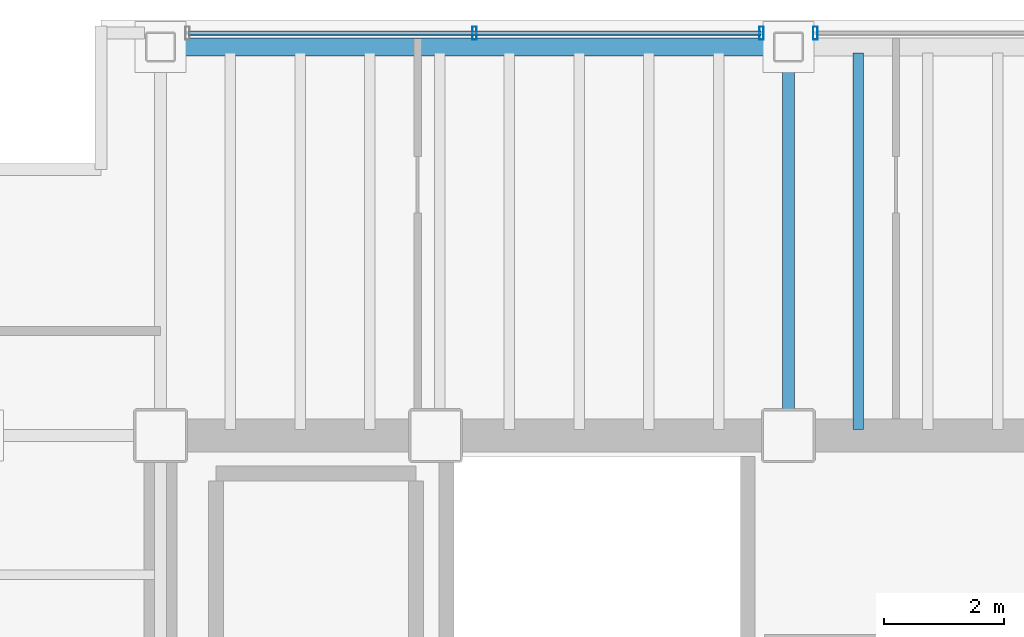
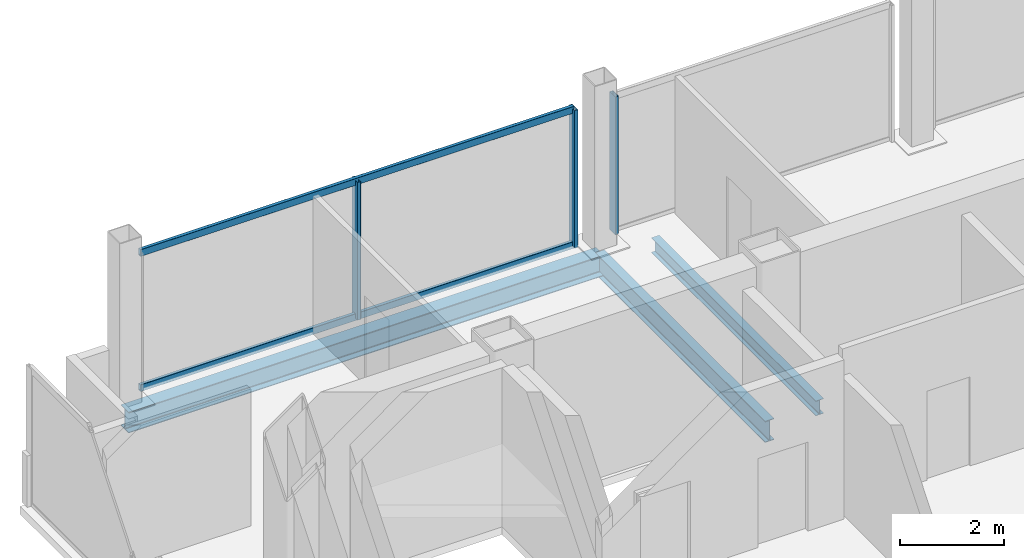
# One storey, part 7 of 16: 5 members, 3 beams, 2 elements without a shape of their own.
"""IFC4 building model written with IfcOpenShell, lengths in metres."""

from ifc_helpers import new_model, si_unit, direction, frame, origin, origin_2d, place, context, subcontext, project, spatial, hollow_rectangle, i_section, extrude, material, material_profile, profile_set, type_object, element, aggregate, save


model = new_model("IFC4")

# Units and contexts
model_context = context("Model", 3, precision=1e-05, world=origin(), true_north=direction((0.0, 1.0)))
body_context = subcontext(model_context, "Body", "Model", "MODEL_VIEW")
ifc_project = project(units=[si_unit("LENGTHUNIT", "METRE"), si_unit("AREAUNIT", "SQUARE_METRE"), si_unit("VOLUMEUNIT", "CUBIC_METRE"), si_unit("PLANEANGLEUNIT", "RADIAN"), si_unit("MASSUNIT", "GRAM", prefix="KILO")], contexts=[model_context])

# Site, building, storey
site_placement = place(None, origin())
site = spatial("IfcSite", under=ifc_project, at=site_placement, CompositionType="ELEMENT")
building_placement = place(site_placement, origin())
building = spatial("IfcBuilding", under=site, at=building_placement, Name="Noeulbin Bourse Tower", CompositionType="ELEMENT")
storey_placement = place(building_placement, frame((0.0, 0.0, 177.300048828125)))
storey = spatial("IfcBuildingStorey", under=building, at=storey_placement, Name="L44", CompositionType="ELEMENT", Elevation=177.300048828125)

# Beams
ifc_material_1 = material(Name="Steel S355", Category="steel")
ifc_material_profile_1 = material_profile(ifc_material_1, i_section(OverallWidth=0.199951171875, OverallDepth=0.5, WebThickness=0.010009765625, FlangeThickness=0.01611328125, FilletRadius=0.02001953125, at=origin_2d()), Name="H-500x200x10x16", Category="LoadBearing")
ifc_profile_set_1 = profile_set([ifc_material_profile_1], Name="Steel S355")
beam_type_1 = type_object("IfcBeamType", Name="BM-GRD-500", PredefinedType="USERDEFINED", material=ifc_profile_set_1)
beam_1_placement = place(storey_placement, frame((24.0, 38.300048828125, -0.429931640625), z_axis=(0.0, 1.0, 0.0), x_axis=(-1.0, 0.0, 0.0)))
element("IfcBeam", 1, at=beam_1_placement, inside=storey, type_object=beam_type_1, Name="Tower Primary Girder NS L44-2.4", ObjectType="GIRDER", PredefinedType="USERDEFINED", context=body_context, shape_type="SweptSolid", body=[
    extrude(i_section(OverallWidth=0.199951171875, OverallDepth=0.5, WebThickness=0.010009765625, FlangeThickness=0.01611328125, FilletRadius=0.02001953125, at=origin_2d()), origin(), (0.0, 0.0, 1.0), 6.5),
])
ifc_material_profile_2 = material_profile(ifc_material_1, i_section(OverallWidth=0.175048828125, OverallDepth=0.35009765625, WebThickness=0.007080078125, FlangeThickness=0.010986328125, FilletRadius=0.013916015625, at=origin_2d()), Name="H-350x175x7x11", Category="LoadBearing")
ifc_profile_set_2 = profile_set([ifc_material_profile_2], Name="Steel S355")
beam_type_2 = type_object("IfcBeamType", Name="BM-JST-350", PredefinedType="JOIST", material=ifc_profile_set_2)
beam_2_placement = place(storey_placement, frame((25.166748046875, 38.39990234375, -0.35498046875), z_axis=(0.0, 1.0, 0.0), x_axis=(-1.0, 0.0, 0.0)))
element("IfcBeam", 2, at=beam_2_placement, inside=storey, type_object=beam_type_2, Name="Tower Composite Joist L44-27", PredefinedType="JOIST", context=body_context, shape_type="SweptSolid", body=[
    extrude(i_section(OverallWidth=0.175048828125, OverallDepth=0.35009765625, WebThickness=0.007080078125, FlangeThickness=0.010986328125, FilletRadius=0.013916015625, at=origin_2d()), origin(), (0.0, 0.0, 1.0), 6.300048828125),
])
ifc_material_profile_3 = material_profile(ifc_material_1, i_section(OverallWidth=0.300048828125, OverallDepth=0.488037109375, WebThickness=0.010986328125, FlangeThickness=0.01806640625, FilletRadius=0.02197265625, at=origin_2d()), Name="H-488x300x11x18", Category="LoadBearing")
ifc_profile_set_3 = profile_set([ifc_material_profile_3], Name="Steel S355")
beam_type_3 = type_object("IfcBeamType", Name="BM-SPN-488", PredefinedType="SPANDREL", material=ifc_profile_set_3)
beam_3_placement = place(storey_placement, frame((13.5, 44.800048828125, -0.424072265625), z_axis=(1.0, 0.0, 0.0), x_axis=(0.0, 1.0, 0.0)))
element("IfcBeam", 3, at=beam_3_placement, inside=storey, type_object=beam_type_3, Name="North Spandrel L44-1", PredefinedType="SPANDREL", context=body_context, shape_type="SweptSolid", body=[
    extrude(i_section(OverallWidth=0.300048828125, OverallDepth=0.488037109375, WebThickness=0.010986328125, FlangeThickness=0.01806640625, FilletRadius=0.02197265625, at=origin_2d()), origin(), (0.0, 0.0, 1.0), 10.5),
])

# Curtain wall, members
ifc_material_2 = material(Name="Dark Tinted Triple Glazing", Category="glass")
curtain_wall_type = type_object("IfcCurtainWallType", Name="CW-SYS-3", PredefinedType="NOTDEFINED", material=ifc_material_2)
curtain_wall_1_placement = place(storey_placement, origin())
curtain_wall_1 = element("IfcCurtainWall", 4, at=curtain_wall_1_placement, inside=storey, type_object=curtain_wall_type, Name="Unitised Curtain Wall CW-L44-N-S1", PredefinedType="NOTDEFINED")
ifc_material_3 = material(Name="Anodised Aluminium 6063-T6", Category="aluminium")
ifc_material_profile_4 = material_profile(ifc_material_3, hollow_rectangle(XDim=0.074951171875, YDim=0.219970703125, WallThickness=0.0048828125, InnerFilletRadius=0.00244140625, OuterFilletRadius=0.0048828125, at=origin_2d()), Name="ALU-MULL-75x220x5", Category="LoadBearing")
ifc_profile_set_4 = profile_set([ifc_material_profile_4], Name="Anodised Aluminium 6063-T6")
member_type_1 = type_object("IfcMemberType", Name="CW-SYS-3-MUL", PredefinedType="MULLION", material=ifc_profile_set_4)
member_1_placement = place(storey_placement, frame((18.75, 45.030029296875, -0.02001953125), z_axis=(0.0, 0.0, 1.0), x_axis=(1.0, 0.0, 0.0)))
member_1 = element("IfcMember", 5, at=member_1_placement, type_object=member_type_1, Name="Curtain Wall Mullion CW-L44-N-S1-M01", PredefinedType="MULLION", context=body_context, shape_type="SweptSolid", body=[
    extrude(hollow_rectangle(XDim=0.074951171875, YDim=0.219970703125, WallThickness=0.0048828125, InnerFilletRadius=0.00244140625, OuterFilletRadius=0.0048828125, at=origin_2d()), origin(), (0.0, 0.0, 1.0), 3.219970703125),
])
member_2_placement = place(storey_placement, frame((23.550048828125, 45.030029296875, -0.02001953125), z_axis=(0.0, 0.0, 1.0), x_axis=(1.0, 0.0, 0.0)))
member_2 = element("IfcMember", 6, at=member_2_placement, type_object=member_type_1, Name="Curtain Wall Mullion CW-L44-N-S1-M02", PredefinedType="MULLION", context=body_context, shape_type="SweptSolid", body=[
    extrude(hollow_rectangle(XDim=0.074951171875, YDim=0.219970703125, WallThickness=0.0048828125, InnerFilletRadius=0.00244140625, OuterFilletRadius=0.0048828125, at=origin_2d()), origin(), (0.0, 0.0, 1.0), 3.219970703125),
])

# Curtain wall, member
curtain_wall_2_placement = place(storey_placement, origin())
curtain_wall_2 = element("IfcCurtainWall", 7, at=curtain_wall_2_placement, inside=storey, type_object=curtain_wall_type, Name="Unitised Curtain Wall CW-L44-N-S2", PredefinedType="NOTDEFINED")
member_3_placement = place(storey_placement, frame((24.449951171875, 45.030029296875, -0.02001953125), z_axis=(0.0, 0.0, 1.0), x_axis=(1.0, 0.0, 0.0)))
member_3 = element("IfcMember", 8, at=member_3_placement, type_object=member_type_1, Name="Curtain Wall Mullion CW-L44-N-S2-M00", PredefinedType="MULLION", context=body_context, shape_type="SweptSolid", body=[
    extrude(hollow_rectangle(XDim=0.074951171875, YDim=0.219970703125, WallThickness=0.0048828125, InnerFilletRadius=0.00244140625, OuterFilletRadius=0.0048828125, at=origin_2d()), origin(), (0.0, 0.0, 1.0), 3.219970703125),
])
aggregate(curtain_wall_2, [member_3])

# Member
ifc_material_profile_5 = material_profile(ifc_material_3, hollow_rectangle(XDim=0.074951171875, YDim=0.159912109375, WallThickness=0.0048828125, InnerFilletRadius=0.00244140625, OuterFilletRadius=0.0048828125, at=origin_2d()), Name="ALU-TRAN-75x160x5", Category="LoadBearing")
ifc_profile_set_5 = profile_set([ifc_material_profile_5], Name="Anodised Aluminium 6063-T6")
member_type_2 = type_object("IfcMemberType", Name="CW-SYS-3-TRN", PredefinedType="USERDEFINED", material=ifc_profile_set_5)
member_4_placement = place(storey_placement, frame((13.9599609375, 45.030029296875, 0.010009765625), z_axis=(1.0, 0.0, 0.0), x_axis=(0.0, 1.0, 0.0)))
member_4 = element("IfcMember", 9, at=member_4_placement, type_object=member_type_2, Name="Curtain Wall Transom CW-L44-N-S1-T00", ObjectType="TRANSOM", PredefinedType="USERDEFINED", context=body_context, shape_type="SweptSolid", body=[
    extrude(hollow_rectangle(XDim=0.074951171875, YDim=0.159912109375, WallThickness=0.0048828125, InnerFilletRadius=0.00244140625, OuterFilletRadius=0.0048828125, at=origin_2d()), origin(), (0.0, 0.0, 1.0), 9.580078125),
])

member_5_placement = place(storey_placement, frame((13.9599609375, 45.030029296875, 3.169921875), z_axis=(1.0, 0.0, 0.0), x_axis=(0.0, 1.0, 0.0)))
member_5 = element("IfcMember", 10, at=member_5_placement, type_object=member_type_2, Name="Curtain Wall Transom CW-L44-N-S1-T01", ObjectType="TRANSOM", PredefinedType="USERDEFINED", context=body_context, shape_type="SweptSolid", body=[
    extrude(hollow_rectangle(XDim=0.074951171875, YDim=0.159912109375, WallThickness=0.0048828125, InnerFilletRadius=0.00244140625, OuterFilletRadius=0.0048828125, at=origin_2d()), origin(), (0.0, 0.0, 1.0), 9.580078125),
])

aggregate(curtain_wall_1, [member_1, member_2, member_4, member_5])

save(model, "model.ifc")
